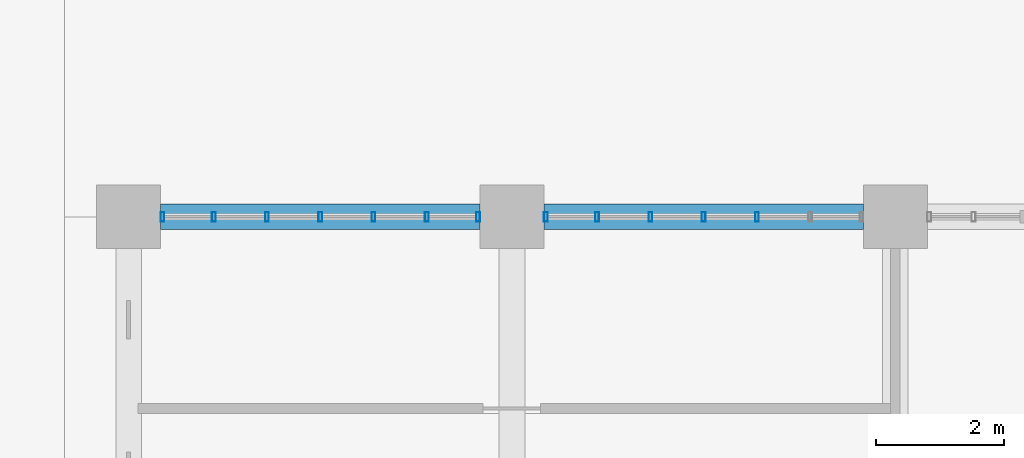
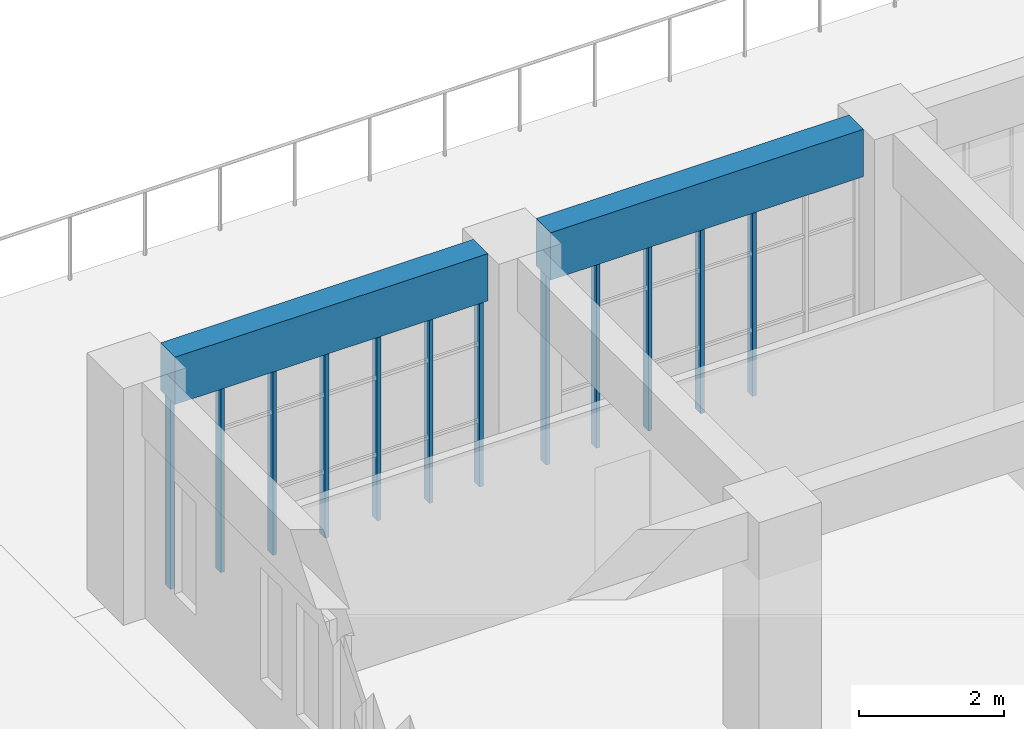
# One storey, part 53 of 101: 12 members, 2 beams, 2 elements without a shape of their own.
"""IFC4 building model written with IfcOpenShell, lengths in metres."""

from ifc_helpers import new_model, si_unit, direction, frame, origin, origin_2d, place, context, subcontext, project, spatial, rectangle, hollow_rectangle, extrude, material, material_profile, profile_set, type_object, element, aggregate, save


model = new_model("IFC4")

# Units and contexts
model_context = context("Model", 3, precision=1e-05, world=origin(), true_north=direction((0.0, 1.0)))
body_context = subcontext(model_context, "Body", "Model", "MODEL_VIEW")
ifc_project = project(units=[si_unit("LENGTHUNIT", "METRE"), si_unit("AREAUNIT", "SQUARE_METRE"), si_unit("VOLUMEUNIT", "CUBIC_METRE"), si_unit("PLANEANGLEUNIT", "RADIAN"), si_unit("MASSUNIT", "GRAM", prefix="KILO")], contexts=[model_context])

# Site, building, storey
site_placement = place(None, origin())
site = spatial("IfcSite", under=ifc_project, at=site_placement, CompositionType="ELEMENT")
building_placement = place(site_placement, origin())
building = spatial("IfcBuilding", under=site, at=building_placement, Name="Laocheng Heights Fire and Rescue Headquarters", CompositionType="ELEMENT")
storey_placement = place(building_placement, frame((0.0, 0.0, 8.39990234375)))
storey = spatial("IfcBuildingStorey", under=building, at=storey_placement, Name="L02", CompositionType="ELEMENT", Elevation=8.39990234375)

# Curtain wall, members
ifc_material_1 = material(Name="Dark anodised aluminium unitised curtain wall, low-e double glazing", Category="aluminium")
curtain_wall_type = type_object("IfcCurtainWallType", Name="CW 5000 x 3200 HQ NORTH GLAZING", PredefinedType="NOTDEFINED", material=ifc_material_1)
curtain_wall_1_placement = place(storey_placement, origin())
curtain_wall_1 = element("IfcCurtainWall", 1, at=curtain_wall_1_placement, inside=storey, type_object=curtain_wall_type, Name="X17-X HQ NORTH L02", PredefinedType="NOTDEFINED")
ifc_material_2 = material(Name="Dark anodised aluminium 6063-T5 extrusion", Category="aluminium")
ifc_material_profile_1 = material_profile(ifc_material_2, hollow_rectangle(XDim=0.14990234375, YDim=0.06005859375, WallThickness=0.0029296875, at=origin_2d()), Name="AL MULLION 150x60x3 HQ NORTH GLAZING")
ifc_profile_set_1 = profile_set([ifc_material_profile_1], Name="Dark anodised aluminium 6063-T5 extrusion")
member_type = type_object("IfcMemberType", Name="AL MULLION 150x60x3 HQ NORTH GLAZING", PredefinedType="MULLION", material=ifc_profile_set_1)
member_1_placement = place(storey_placement, frame((36.530029296875, 72.0, 0.0), z_axis=(0.0, 0.0, 1.0), x_axis=(0.0, 1.0, 0.0)))
member_1 = element("IfcMember", 2, at=member_1_placement, type_object=member_type, Name="X17-X mullion 1", PredefinedType="MULLION", context=body_context, shape_type="SweptSolid", body=[
    extrude(hollow_rectangle(XDim=0.14990234375, YDim=0.06005859375, WallThickness=0.0029296875, at=origin_2d()), origin(), (0.0, 0.0, 1.0), 3.2001953125),
])
member_2_placement = place(storey_placement, frame((37.333251953125, 72.0, 0.0), z_axis=(0.0, 0.0, 1.0), x_axis=(0.0, 1.0, 0.0)))
member_2 = element("IfcMember", 3, at=member_2_placement, type_object=member_type, Name="X17-X mullion 2", PredefinedType="MULLION", context=body_context, shape_type="SweptSolid", body=[
    extrude(hollow_rectangle(XDim=0.14990234375, YDim=0.06005859375, WallThickness=0.0029296875, at=origin_2d()), origin(), (0.0, 0.0, 1.0), 3.2001953125),
])
member_3_placement = place(storey_placement, frame((38.166748046875, 72.0, 0.0), z_axis=(0.0, 0.0, 1.0), x_axis=(0.0, 1.0, 0.0)))
member_3 = element("IfcMember", 4, at=member_3_placement, type_object=member_type, Name="X17-X mullion 3", PredefinedType="MULLION", context=body_context, shape_type="SweptSolid", body=[
    extrude(hollow_rectangle(XDim=0.14990234375, YDim=0.06005859375, WallThickness=0.0029296875, at=origin_2d()), origin(), (0.0, 0.0, 1.0), 3.2001953125),
])
member_4_placement = place(storey_placement, frame((39.0, 72.0, 0.0), z_axis=(0.0, 0.0, 1.0), x_axis=(0.0, 1.0, 0.0)))
member_4 = element("IfcMember", 5, at=member_4_placement, type_object=member_type, Name="X17-X mullion 4", PredefinedType="MULLION", context=body_context, shape_type="SweptSolid", body=[
    extrude(hollow_rectangle(XDim=0.14990234375, YDim=0.06005859375, WallThickness=0.0029296875, at=origin_2d()), origin(), (0.0, 0.0, 1.0), 3.2001953125),
])
member_5_placement = place(storey_placement, frame((39.833251953125, 72.0, 0.0), z_axis=(0.0, 0.0, 1.0), x_axis=(0.0, 1.0, 0.0)))
member_5 = element("IfcMember", 6, at=member_5_placement, type_object=member_type, Name="X17-X mullion 5", PredefinedType="MULLION", context=body_context, shape_type="SweptSolid", body=[
    extrude(hollow_rectangle(XDim=0.14990234375, YDim=0.06005859375, WallThickness=0.0029296875, at=origin_2d()), origin(), (0.0, 0.0, 1.0), 3.2001953125),
])
member_6_placement = place(storey_placement, frame((40.666748046875, 72.0, 0.0), z_axis=(0.0, 0.0, 1.0), x_axis=(0.0, 1.0, 0.0)))
member_6 = element("IfcMember", 7, at=member_6_placement, type_object=member_type, Name="X17-X mullion 6", PredefinedType="MULLION", context=body_context, shape_type="SweptSolid", body=[
    extrude(hollow_rectangle(XDim=0.14990234375, YDim=0.06005859375, WallThickness=0.0029296875, at=origin_2d()), origin(), (0.0, 0.0, 1.0), 3.2001953125),
])
member_7_placement = place(storey_placement, frame((41.469970703125, 72.0, 0.0), z_axis=(0.0, 0.0, 1.0), x_axis=(0.0, 1.0, 0.0)))
member_7 = element("IfcMember", 8, at=member_7_placement, type_object=member_type, Name="X17-X mullion 7", PredefinedType="MULLION", context=body_context, shape_type="SweptSolid", body=[
    extrude(hollow_rectangle(XDim=0.14990234375, YDim=0.06005859375, WallThickness=0.0029296875, at=origin_2d()), origin(), (0.0, 0.0, 1.0), 3.2001953125),
])
aggregate(curtain_wall_1, [member_1, member_2, member_3, member_4, member_5, member_6, member_7])

curtain_wall_2_placement = place(storey_placement, origin())
curtain_wall_2 = element("IfcCurtainWall", 9, at=curtain_wall_2_placement, inside=storey, type_object=curtain_wall_type, Name="X17-X HQ NORTH L02", PredefinedType="NOTDEFINED")
member_8_placement = place(storey_placement, frame((42.530029296875, 72.0, 0.0), z_axis=(0.0, 0.0, 1.0), x_axis=(0.0, 1.0, 0.0)))
member_8 = element("IfcMember", 10, at=member_8_placement, type_object=member_type, Name="X17-X mullion 1", PredefinedType="MULLION", context=body_context, shape_type="SweptSolid", body=[
    extrude(hollow_rectangle(XDim=0.14990234375, YDim=0.06005859375, WallThickness=0.0029296875, at=origin_2d()), origin(), (0.0, 0.0, 1.0), 3.2001953125),
])
member_9_placement = place(storey_placement, frame((43.333251953125, 72.0, 0.0), z_axis=(0.0, 0.0, 1.0), x_axis=(0.0, 1.0, 0.0)))
member_9 = element("IfcMember", 11, at=member_9_placement, type_object=member_type, Name="X17-X mullion 2", PredefinedType="MULLION", context=body_context, shape_type="SweptSolid", body=[
    extrude(hollow_rectangle(XDim=0.14990234375, YDim=0.06005859375, WallThickness=0.0029296875, at=origin_2d()), origin(), (0.0, 0.0, 1.0), 3.2001953125),
])
member_10_placement = place(storey_placement, frame((44.166748046875, 72.0, 0.0), z_axis=(0.0, 0.0, 1.0), x_axis=(0.0, 1.0, 0.0)))
member_10 = element("IfcMember", 12, at=member_10_placement, type_object=member_type, Name="X17-X mullion 3", PredefinedType="MULLION", context=body_context, shape_type="SweptSolid", body=[
    extrude(hollow_rectangle(XDim=0.14990234375, YDim=0.06005859375, WallThickness=0.0029296875, at=origin_2d()), origin(), (0.0, 0.0, 1.0), 3.2001953125),
])
member_11_placement = place(storey_placement, frame((45.0, 72.0, 0.0), z_axis=(0.0, 0.0, 1.0), x_axis=(0.0, 1.0, 0.0)))
member_11 = element("IfcMember", 13, at=member_11_placement, type_object=member_type, Name="X17-X mullion 4", PredefinedType="MULLION", context=body_context, shape_type="SweptSolid", body=[
    extrude(hollow_rectangle(XDim=0.14990234375, YDim=0.06005859375, WallThickness=0.0029296875, at=origin_2d()), origin(), (0.0, 0.0, 1.0), 3.2001953125),
])
member_12_placement = place(storey_placement, frame((45.833251953125, 72.0, 0.0), z_axis=(0.0, 0.0, 1.0), x_axis=(0.0, 1.0, 0.0)))
member_12 = element("IfcMember", 14, at=member_12_placement, type_object=member_type, Name="X17-X mullion 5", PredefinedType="MULLION", context=body_context, shape_type="SweptSolid", body=[
    extrude(hollow_rectangle(XDim=0.14990234375, YDim=0.06005859375, WallThickness=0.0029296875, at=origin_2d()), origin(), (0.0, 0.0, 1.0), 3.2001953125),
])
aggregate(curtain_wall_2, [member_8, member_9, member_10, member_11, member_12])

# Beams
ifc_material_3 = material(Name="Concrete C40", Category="concrete")
ifc_material_profile_2 = material_profile(ifc_material_3, rectangle(XDim=0.39990234375, YDim=0.800048828125, at=origin_2d()), Name="RC BEAM 400x800 HQ")
ifc_profile_set_2 = profile_set([ifc_material_profile_2], Name="Concrete C40")
beam_type = type_object("IfcBeamType", Name="RC BEAM 400x800 HQ", PredefinedType="BEAM", material=ifc_profile_set_2)
for number, where, z_axis, x_axis, name in (
    (15, (36.5, 72.0, 3.60009765625), (1.0, 0.0, 0.0), (0.0, 1.0, 0.0), "HQ beam L02"),
    (16, (42.5, 72.0, 3.60009765625), (1.0, 0.0, 0.0), (0.0, 1.0, 0.0), "HQ beam L02"),
):
    element("IfcBeam", number, at=place(storey_placement, frame(where, z_axis=z_axis, x_axis=x_axis)), inside=storey, type_object=beam_type, Name=name, PredefinedType="BEAM", context=body_context, shape_type="SweptSolid", body=[
        extrude(rectangle(XDim=0.39990234375, YDim=0.800048828125, at=origin_2d()), origin(), (0.0, 0.0, 1.0), 5.0),
    ])

save(model, "model.ifc")
